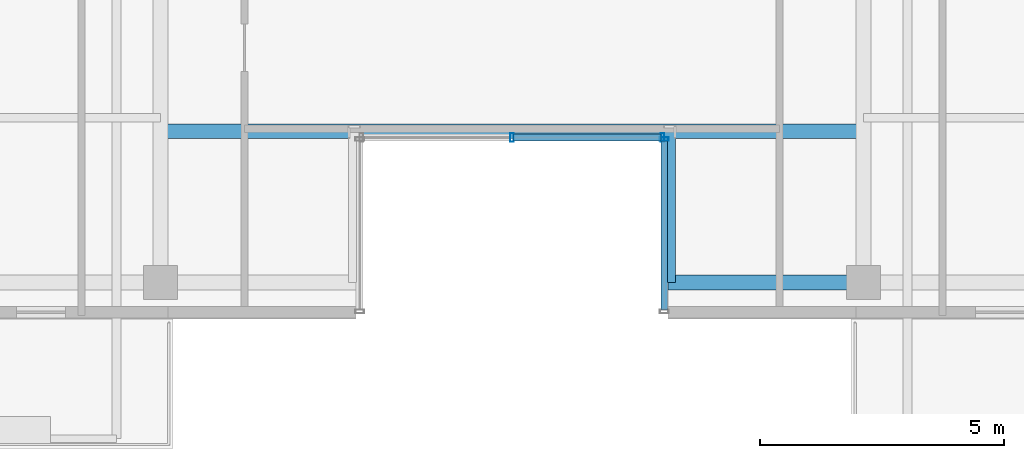
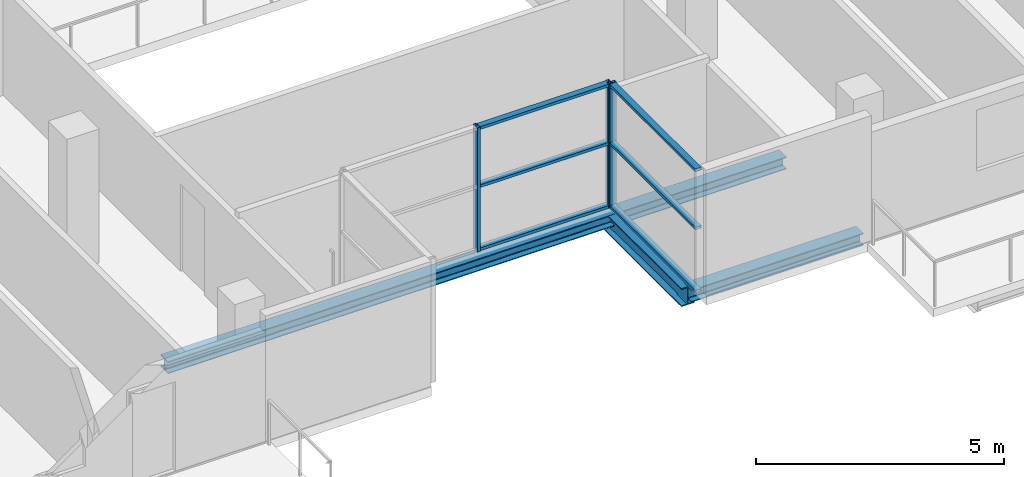
# One storey, part 4 of 22: 9 members, 3 beams, 2 elements without a shape of their own.
"""IFC4 building model written with IfcOpenShell, lengths in metres."""

from ifc_helpers import new_model, si_unit, direction, frame, origin, origin_2d, place, context, subcontext, project, spatial, hollow_rectangle, i_section, extrude, source, transform, mapped, material, layer, layer_set, material_profile, profile_set, type_object, element, aggregate, save


model = new_model("IFC4")

# Units and contexts
model_context = context("Model", 3, precision=1e-05, world=origin(), true_north=direction((0.0, 1.0)))
body_context = subcontext(model_context, "Body", "Model", "MODEL_VIEW")
ifc_project = project(units=[si_unit("LENGTHUNIT", "METRE"), si_unit("AREAUNIT", "SQUARE_METRE"), si_unit("VOLUMEUNIT", "CUBIC_METRE"), si_unit("PLANEANGLEUNIT", "RADIAN"), si_unit("MASSUNIT", "GRAM", prefix="KILO")], contexts=[model_context])

# Site, building, storey
site_placement = place(None, origin())
site = spatial("IfcSite", under=ifc_project, at=site_placement, CompositionType="ELEMENT")
building_placement = place(site_placement, origin())
building = spatial("IfcBuilding", under=site, at=building_placement, Name="Zarnakvel Exchange Tower", CompositionType="ELEMENT")
storey_placement = place(building_placement, frame((0.0, 0.0, 222.10009765625)))
storey = spatial("IfcBuildingStorey", under=building, at=storey_placement, Name="L62", CompositionType="ELEMENT", Elevation=222.10009765625)

# Beams
ifc_material_1 = material(Name="Steel S355", Category="steel")
ifc_material_profile_1 = material_profile(ifc_material_1, i_section(OverallWidth=0.300048828125, OverallDepth=0.449951171875, WebThickness=0.013916015625, FlangeThickness=0.02587890625, FilletRadius=0.027099609375, at=origin_2d()))
ifc_profile_set_1 = profile_set([ifc_material_profile_1], Name="Steel S355")
beam_type_1 = type_object("IfcBeamType", Name="G-07", PredefinedType="BEAM", material=ifc_profile_set_1)
beam_1_placement = place(storey_placement, frame((3.199951171875, -16.35009765625, -0.4501953125), z_axis=(0.0, 1.0, 0.0), x_axis=(-1.0, 0.0, 0.0)))
element("IfcBeam", 1, at=beam_1_placement, inside=storey, type_object=beam_type_1, Name="L62 South Slot East Cheek Beam", PredefinedType="BEAM", context=body_context, shape_type="SweptSolid", body=[
    extrude(i_section(OverallWidth=0.300048828125, OverallDepth=0.449951171875, WebThickness=0.013916015625, FlangeThickness=0.02587890625, FilletRadius=0.027099609375, at=origin_2d()), origin(), (0.0, 0.0, 1.0), 3.10009765625),
])
ifc_material_profile_2 = material_profile(ifc_material_1, i_section(OverallWidth=0.300048828125, OverallDepth=0.300048828125, WebThickness=0.010986328125, FlangeThickness=0.01904296875, FilletRadius=0.027099609375, at=origin_2d()))
ifc_profile_set_2 = profile_set([ifc_material_profile_2], Name="Steel S355")
beam_type_2 = type_object("IfcBeamType", Name="SP-03", PredefinedType="SPANDREL", material=ifc_profile_set_2)
beam_2_placement = place(storey_placement, frame((3.199951171875, -16.35009765625, -0.375), z_axis=(1.0, 0.0, 0.0), x_axis=(0.0, 1.0, 0.0)))
element("IfcBeam", 2, at=beam_2_placement, inside=storey, type_object=beam_type_2, Name="L62 South Slot East Jamb Spandrel", PredefinedType="SPANDREL", context=body_context, shape_type="SweptSolid", body=[
    extrude(i_section(OverallWidth=0.300048828125, OverallDepth=0.300048828125, WebThickness=0.010986328125, FlangeThickness=0.01904296875, FilletRadius=0.027099609375, at=origin_2d()), origin(), (0.0, 0.0, 1.0), 4.0),
])
beam_3_placement = place(storey_placement, frame((-7.199951171875, -13.25, -0.375), z_axis=(1.0, 0.0, 0.0), x_axis=(0.0, 1.0, 0.0)))
element("IfcBeam", 3, at=beam_3_placement, inside=storey, type_object=beam_type_2, Name="L62 South Slot Head Trimmer Girder", PredefinedType="SPANDREL", context=body_context, shape_type="SweptSolid", body=[
    extrude(i_section(OverallWidth=0.300048828125, OverallDepth=0.300048828125, WebThickness=0.010986328125, FlangeThickness=0.01904296875, FilletRadius=0.027099609375, at=origin_2d()), origin(), (0.0, 0.0, 1.0), 14.39990234375),
])

# Curtain wall, members
ifc_material_2 = material(Name="Architectural Bronze Anodised Aluminium", Category="aluminium")
ifc_layer = layer(ifc_material_2, 0.179931640625)
ifc_layer_set = layer_set([ifc_layer], Name="Architectural Bronze Anodised Aluminium")
curtain_wall_type = type_object("IfcCurtainWallType", Name="CW-05", PredefinedType="NOTDEFINED", material=ifc_layer_set)
curtain_wall_1_placement = place(storey_placement, origin())
curtain_wall_1 = element("IfcCurtainWall", 4, at=curtain_wall_1_placement, inside=storey, type_object=curtain_wall_type, Name="L62 Curtain Wall CW-L62-SLE (CW-05)", PredefinedType="NOTDEFINED")
ifc_material_profile_3 = material_profile(ifc_material_2, hollow_rectangle(XDim=0.139892578125, YDim=0.070068359375, WallThickness=0.00390625, at=origin_2d()))
ifc_profile_set_3 = profile_set([ifc_material_profile_3], Name="Architectural Bronze Anodised Aluminium")
member_type_1 = type_object("IfcMemberType", Name="CWT-05", PredefinedType="USERDEFINED", material=ifc_profile_set_3)
shared_shape_1 = source(origin(), body_context, "Body", "SweptSolid", [
    extrude(hollow_rectangle(XDim=0.139892578125, YDim=0.070068359375, WallThickness=0.00390625, at=origin_2d()), origin(), (0.0, 0.0, 1.0), 3.4599609375),
])
member_1_placement = place(storey_placement, frame((3.1201171875, -13.449951171875, 0.034912109375), z_axis=(0.0, -1.0, 0.0), x_axis=(1.0, 0.0, 0.0)))
member_1 = element("IfcMember", 5, at=member_1_placement, type_object=member_type_1, Name="CW-05 transom 1.1", ObjectType="TRANSOM", PredefinedType="USERDEFINED", context=body_context, shape_type="MappedRepresentation", body=[
    mapped(shared_shape_1, transform((0.0, 0.0, 0.0), x_axis=(1.0, 0.0, 0.0), y_axis=(0.0, 1.0, 0.0), z_axis=(0.0, 0.0, 1.0), scale=1.0)),
])
member_2_placement = place(storey_placement, frame((3.1201171875, -13.449951171875, 1.588623046875), z_axis=(0.0, -1.0, 0.0), x_axis=(1.0, 0.0, 0.0)))
member_2 = element("IfcMember", 6, at=member_2_placement, type_object=member_type_1, Name="CW-05 transom 1.2", ObjectType="TRANSOM", PredefinedType="USERDEFINED", context=body_context, shape_type="MappedRepresentation", body=[
    mapped(shared_shape_1, transform((0.0, 0.0, 0.0), x_axis=(1.0, 0.0, 0.0), y_axis=(0.0, 1.0, 0.0), z_axis=(0.0, 0.0, 1.0), scale=1.0)),
])
member_3_placement = place(storey_placement, frame((3.1201171875, -13.449951171875, 3.02001953125), z_axis=(0.0, -1.0, 0.0), x_axis=(1.0, 0.0, 0.0)))
member_3 = element("IfcMember", 7, at=member_3_placement, type_object=member_type_1, Name="CW-05 transom 1.3", ObjectType="TRANSOM", PredefinedType="USERDEFINED", context=body_context, shape_type="MappedRepresentation", body=[
    mapped(shared_shape_1, transform((0.0, 0.0, 0.0), x_axis=(1.0, 0.0, 0.0), y_axis=(0.0, 1.0, 0.0), z_axis=(0.0, 0.0, 1.0), scale=1.0)),
])

curtain_wall_2_placement = place(storey_placement, origin())
curtain_wall_2 = element("IfcCurtainWall", 8, at=curtain_wall_2_placement, inside=storey, type_object=curtain_wall_type, Name="L62 Curtain Wall CW-L62-SLB (CW-05)", PredefinedType="NOTDEFINED")
shared_shape_2 = source(origin(), body_context, "Body", "SweptSolid", [
    extrude(hollow_rectangle(XDim=0.139892578125, YDim=0.070068359375, WallThickness=0.00390625, at=origin_2d()), origin(), (0.0, 0.0, 1.0), 3.01513671875),
])
member_4_placement = place(storey_placement, frame((0.034912109375, -13.3798828125, 0.034912109375), z_axis=(1.0, 0.0, 0.0), x_axis=(0.0, 1.0, 0.0)))
member_4 = element("IfcMember", 9, at=member_4_placement, type_object=member_type_1, Name="CW-05 transom 2.1", ObjectType="TRANSOM", PredefinedType="USERDEFINED", context=body_context, shape_type="MappedRepresentation", body=[
    mapped(shared_shape_2, transform((0.0, 0.0, 0.0), x_axis=(1.0, 0.0, 0.0), y_axis=(0.0, 1.0, 0.0), z_axis=(0.0, 0.0, 1.0), scale=1.0)),
])
member_5_placement = place(storey_placement, frame((0.034912109375, -13.3798828125, 1.588623046875), z_axis=(1.0, 0.0, 0.0), x_axis=(0.0, 1.0, 0.0)))
member_5 = element("IfcMember", 10, at=member_5_placement, type_object=member_type_1, Name="CW-05 transom 2.2", ObjectType="TRANSOM", PredefinedType="USERDEFINED", context=body_context, shape_type="MappedRepresentation", body=[
    mapped(shared_shape_2, transform((0.0, 0.0, 0.0), x_axis=(1.0, 0.0, 0.0), y_axis=(0.0, 1.0, 0.0), z_axis=(0.0, 0.0, 1.0), scale=1.0)),
])
member_6_placement = place(storey_placement, frame((0.034912109375, -13.3798828125, 3.02001953125), z_axis=(1.0, 0.0, 0.0), x_axis=(0.0, 1.0, 0.0)))
member_6 = element("IfcMember", 11, at=member_6_placement, type_object=member_type_1, Name="CW-05 transom 2.3", ObjectType="TRANSOM", PredefinedType="USERDEFINED", context=body_context, shape_type="MappedRepresentation", body=[
    mapped(shared_shape_2, transform((0.0, 0.0, 0.0), x_axis=(1.0, 0.0, 0.0), y_axis=(0.0, 1.0, 0.0), z_axis=(0.0, 0.0, 1.0), scale=1.0)),
])
ifc_material_profile_4 = material_profile(ifc_material_2, hollow_rectangle(XDim=0.179931640625, YDim=0.070068359375, WallThickness=0.00390625, at=origin_2d()))
ifc_profile_set_4 = profile_set([ifc_material_profile_4], Name="Architectural Bronze Anodised Aluminium")
member_type_2 = type_object("IfcMemberType", Name="CWM-05", PredefinedType="MULLION", material=ifc_profile_set_4)
shared_shape_3 = source(origin(), body_context, "Body", "SweptSolid", [
    extrude(hollow_rectangle(XDim=0.179931640625, YDim=0.070068359375, WallThickness=0.00390625, at=origin_2d()), origin(), (0.0, 0.0, 1.0), 3.054931640625),
])
member_7_placement = place(storey_placement, frame((0.0, -13.3798828125, 0.0), z_axis=(0.0, 0.0, 1.0), x_axis=(0.0, 1.0, 0.0)))
member_7 = element("IfcMember", 12, at=member_7_placement, type_object=member_type_2, Name="CW-05 mullion 2", PredefinedType="MULLION", context=body_context, shape_type="MappedRepresentation", body=[
    mapped(shared_shape_3, transform((0.0, 0.0, 0.0), x_axis=(1.0, 0.0, 0.0), y_axis=(0.0, 1.0, 0.0), z_axis=(0.0, 0.0, 1.0), scale=1.0)),
])
member_8_placement = place(storey_placement, frame((3.0849609375, -13.3798828125, 0.0), z_axis=(0.0, 0.0, 1.0), x_axis=(0.0, 1.0, 0.0)))
member_8 = element("IfcMember", 13, at=member_8_placement, type_object=member_type_2, Name="CW-05 mullion 3", PredefinedType="MULLION", context=body_context, shape_type="MappedRepresentation", body=[
    mapped(shared_shape_3, transform((0.0, 0.0, 0.0), x_axis=(1.0, 0.0, 0.0), y_axis=(0.0, 1.0, 0.0), z_axis=(0.0, 0.0, 1.0), scale=1.0)),
])
aggregate(curtain_wall_2, [member_7, member_8, member_4, member_5, member_6])

# Member
member_9_placement = place(storey_placement, frame((3.1201171875, -13.4150390625, 0.0), z_axis=(0.0, 0.0, 1.0), x_axis=(1.0, 0.0, 0.0)))
member_9 = element("IfcMember", 14, at=member_9_placement, type_object=member_type_2, Name="CW-05 mullion 1", PredefinedType="MULLION", context=body_context, shape_type="MappedRepresentation", body=[
    mapped(shared_shape_3, transform((0.0, 0.0, 0.0), x_axis=(1.0, 0.0, 0.0), y_axis=(0.0, 1.0, 0.0), z_axis=(0.0, 0.0, 1.0), scale=1.0)),
])

aggregate(curtain_wall_1, [member_9, member_1, member_2, member_3])

save(model, "model.ifc")
